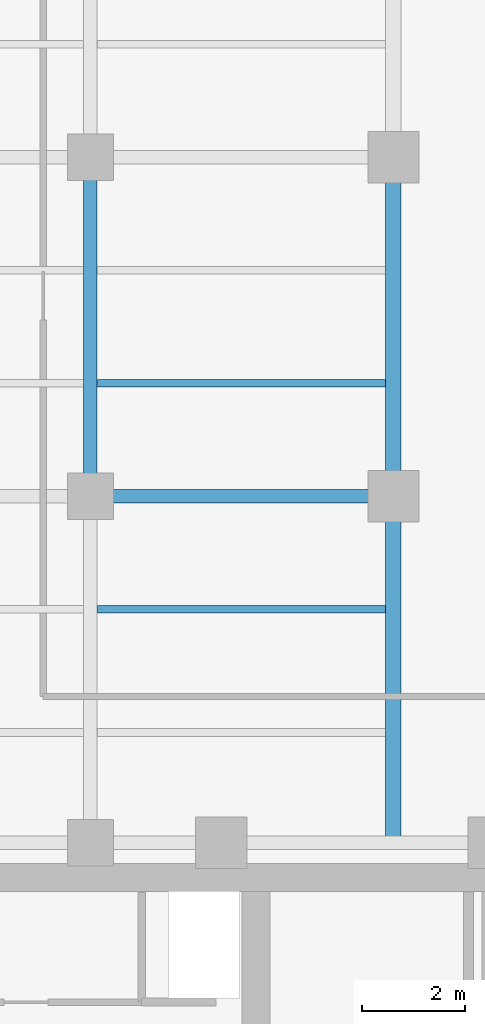
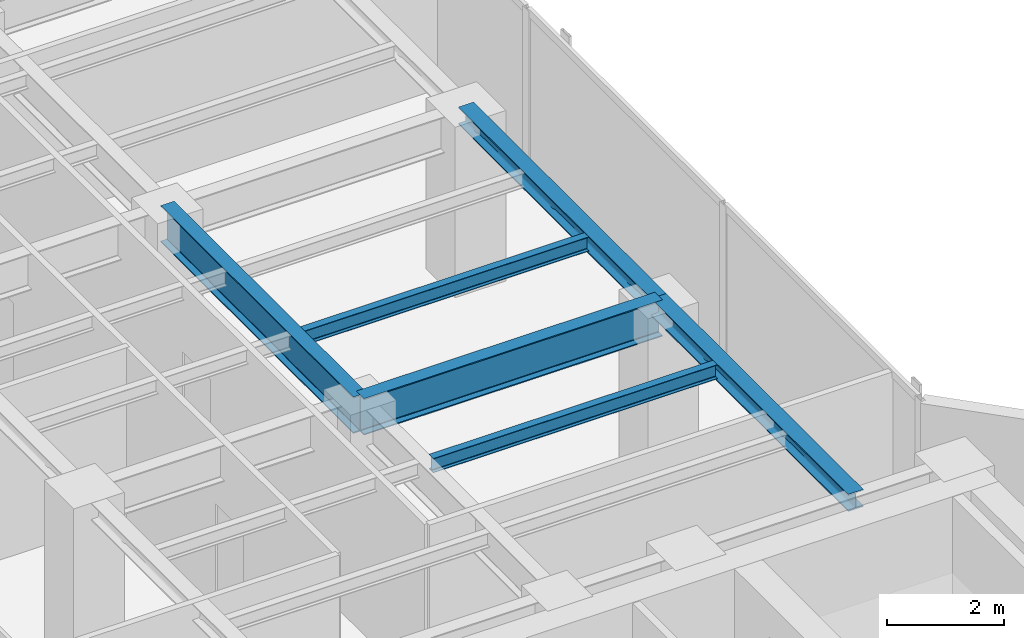
# One storey, part 9 of 22: 6 beams.
"""IFC4 building model written with IfcOpenShell, lengths in metres."""

import ifcopenshell
import ifcopenshell.guid

model = None  # the IFC model being written
_history = None  # IfcOwnerHistory: only IFC2X3 demands one
_inside = {}  # id of a spatial element -> (the spatial element, [elements in it])
_under = {}  # id of a project, library or spatial element -> (it, [spatial elements below it])
_declared = {}  # id of a project -> (the project, [libraries it declares])
_typed = {}  # id of a type object -> (the type object, [elements of that type])
_made_of = {}  # id of a material, layer set ... -> (it, [elements and type objects made of it])


def new_model(schema):
    """Start an empty IFC model of exactly this schema.

    Asked for "IFC4X3", IfcOpenShell would pick the latest addendum, in which some entities
    have other attributes; the version numbers below select the first issue.
    IFC2X3 requires an IfcOwnerHistory on every rooted entity: one is made here for all.
    """
    global model, _history
    if schema == "IFC4X3":
        model = ifcopenshell.file(schema_version=(4, 3, 0, 0))
    else:
        model = ifcopenshell.file(schema=schema)
    _inside.clear()
    _under.clear()
    _declared.clear()
    _typed.clear()
    _made_of.clear()
    _history = None
    if model.schema == "IFC2X3":
        org = make("IfcOrganization", Name="unknown")
        user = make(
            "IfcPersonAndOrganization",
            ThePerson=make("IfcPerson", FamilyName="unknown"),
            TheOrganization=org,
        )
        app = make(
            "IfcApplication",
            ApplicationDeveloper=org,
            Version="unknown",
            ApplicationFullName="unknown",
            ApplicationIdentifier="unknown",
        )
        _history = make(
            "IfcOwnerHistory",
            OwningUser=user,
            OwningApplication=app,
            ChangeAction="ADDED",
            CreationDate=0,
        )
    return model


def make(cls, **values):
    """One entity of the class cls with the attributes given. An attribute that is None is left unset."""
    return model.create_entity(
        cls, **{name: value for name, value in values.items() if value is not None}
    )


def rooted(cls, **values):
    """An entity with a GlobalId (a new one), such as an element, a storey or a relation."""
    return make(cls, GlobalId=ifcopenshell.guid.new(), OwnerHistory=_history, **values)


def si_unit(unit_type, name, prefix=None):
    """IfcSIUnit, for example si_unit("LENGTHUNIT", "METRE", prefix="MILLI")."""
    return make("IfcSIUnit", UnitType=unit_type, Prefix=prefix, Name=name)


def assignment(units):
    """IfcUnitAssignment: the units of a project."""
    return None if units is None else make("IfcUnitAssignment", Units=units)


def point(xyz):
    """IfcCartesianPoint."""
    return None if xyz is None else make("IfcCartesianPoint", Coordinates=xyz)


def direction(xyz):
    """IfcDirection."""
    return None if xyz is None else make("IfcDirection", DirectionRatios=xyz)


def frame(location, z_axis=None, x_axis=None):
    """IfcAxis2Placement3D, a coordinate frame: its origin and axes. An axis left out is left unset."""
    return make(
        "IfcAxis2Placement3D",
        Location=point(location),
        Axis=direction(z_axis),
        RefDirection=direction(x_axis),
    )


def frame_2d(location, x_axis=None):
    """IfcAxis2Placement2D, a coordinate frame in the plane: its origin and x axis."""
    return make(
        "IfcAxis2Placement2D", Location=point(location), RefDirection=direction(x_axis)
    )


def origin():
    """The frame at (0, 0, 0) with its axes left unset."""
    return frame((0.0, 0.0, 0.0))


def origin_2d():
    """The frame at (0, 0) in the plane with its x axis left unset."""
    return frame_2d((0.0, 0.0))


def place(relative_to, where):
    """IfcLocalPlacement: puts the frame where relative to a parent placement (None: the world)."""
    return make(
        "IfcLocalPlacement", PlacementRelTo=relative_to, RelativePlacement=where
    )


def context(
    kind, dimensions, precision=None, world=None, true_north=None, identifier=None
):
    """IfcGeometricRepresentationContext, for example the 3D "Model" context."""
    return make(
        "IfcGeometricRepresentationContext",
        ContextIdentifier=identifier,
        ContextType=kind,
        CoordinateSpaceDimension=dimensions,
        Precision=precision,
        WorldCoordinateSystem=world,
        TrueNorth=true_north,
    )


def subcontext(parent, identifier, kind, view, scale=None):
    """IfcGeometricRepresentationSubContext, for example "Body" below "Model"."""
    return make(
        "IfcGeometricRepresentationSubContext",
        ContextIdentifier=identifier,
        ContextType=kind,
        ParentContext=parent,
        TargetScale=scale,
        TargetView=view,
    )


def project(units=None, contexts=None):
    """IfcProject with its units and contexts."""
    return rooted(
        "IfcProject",
        Name="project",
        RepresentationContexts=contexts,
        UnitsInContext=assignment(units),
    )


def spatial(cls, under=None, at=None, **own):
    """A site, building, storey or space (cls), placed at a placement, below another one or the project."""
    s = rooted(cls, ObjectPlacement=at, **own)
    if under is not None:
        _under.setdefault(under.id(), (under, []))[1].append(s)
    return s


def profile(cls, at=None, kind="AREA", **sizes):
    """A parametric profile (cls). Its sizes go by their IFC names, for example OverallWidth=200.0."""
    return make(cls, ProfileType=kind, Position=at, **sizes)


def i_section(**sizes):
    """IfcIShapeProfileDef."""
    return profile("IfcIShapeProfileDef", **sizes)


def extrude(swept, where, along, depth):
    """IfcExtrudedAreaSolid: the profile swept, set in the frame where, extruded along a direction by depth."""
    return make(
        "IfcExtrudedAreaSolid",
        SweptArea=swept,
        Position=where,
        ExtrudedDirection=direction(along),
        Depth=depth,
    )


def shape(context_of_items, identifier, shape_type, items):
    """IfcShapeRepresentation: the items that make up one representation, for example the "Body"."""
    return make(
        "IfcShapeRepresentation",
        ContextOfItems=context_of_items,
        RepresentationIdentifier=identifier,
        RepresentationType=shape_type,
        Items=items,
    )


def material(Name=None, Category=None):
    """IfcMaterial."""
    return make("IfcMaterial", Name=Name, Category=Category)


def material_profile(
    of_material, cross_section, Name=None, Category=None, Priority=None
):
    """IfcMaterialProfile: a cross section and its material."""
    return make(
        "IfcMaterialProfile",
        Name=Name,
        Material=of_material,
        Profile=cross_section,
        Priority=Priority,
        Category=Category,
    )


def profile_set(profiles, Name=None, composite=None):
    """IfcMaterialProfileSet."""
    return make(
        "IfcMaterialProfileSet",
        Name=Name,
        MaterialProfiles=profiles,
        CompositeProfile=composite,
    )


def made_of(thing, what):
    """Note that an element or type object is made of a material, layer set ...; save() writes the relation."""
    if what is not None:
        _made_of.setdefault(what.id(), (what, []))[1].append(thing)
    return thing


def type_object(cls, material=None, **own):
    """A type object (cls), such as IfcWallType, which elements share."""
    return made_of(rooted(cls, **own), material)


def element(
    cls,
    number,
    at=None,
    inside=None,
    cuts=None,
    type_object=None,
    material=None,
    context=None,
    identifier="Body",
    shape_type=None,
    held_by="IfcProductDefinitionShape",
    body=None,
    shapes=None,
    **own,
):
    """One element of the class cls, such as IfcWall. Its Tag is "e" and its number.

    at: its placement. inside: the storey or other place that contains it. cuts: it is an
    opening in that element (IfcRelVoidsElement). A single representation is given by context,
    identifier, shape_type and body (its items); several are given by shapes. held_by: the class
    of the entity that holds the representations. save() writes the other relations.
    """
    e = rooted(cls, Tag="e%d" % number, ObjectPlacement=at, **own)
    if body is not None:
        shapes = [shape(context, identifier, shape_type, body)]
    if shapes is not None:
        e.Representation = make(held_by, Representations=shapes)
    if inside is not None:
        _inside.setdefault(inside.id(), (inside, []))[1].append(e)
    if cuts is not None:
        rooted(
            "IfcRelVoidsElement", RelatingBuildingElement=cuts, RelatedOpeningElement=e
        )
    if type_object is not None:
        _typed.setdefault(type_object.id(), (type_object, []))[1].append(e)
    return made_of(e, material)


def aggregate(whole, parts):
    """IfcRelAggregates: a whole, such as a stair, and the parts it consists of."""
    return rooted("IfcRelAggregates", RelatingObject=whole, RelatedObjects=parts)


def save(model, path):
    """Write the relations noted so far, then the file.

    IfcRelAggregates (storeys below a building ...), IfcRelContainedInSpatialStructure (elements
    in a storey), IfcRelDefinesByType, IfcRelAssociatesMaterial and IfcRelDeclares: one each for
    every whole, place, type object, material and project.
    """
    for whole, parts in _under.values():
        aggregate(whole, parts)
    for where, things in _inside.values():
        rooted(
            "IfcRelContainedInSpatialStructure",
            RelatedElements=things,
            RelatingStructure=where,
        )
    for kind, things in _typed.values():
        rooted("IfcRelDefinesByType", RelatedObjects=things, RelatingType=kind)
    for what, things in _made_of.values():
        rooted("IfcRelAssociatesMaterial", RelatedObjects=things, RelatingMaterial=what)
    for by, libraries in _declared.values():
        rooted("IfcRelDeclares", RelatingContext=by, RelatedDefinitions=libraries)
    model.write(path)


model = new_model("IFC4")

# Units and contexts
model_context = context("Model", 3, precision=1e-05, world=origin(), true_north=direction((0.0, 1.0)))
body_context = subcontext(model_context, "Body", "Model", "MODEL_VIEW")
ifc_project = project(units=[si_unit("LENGTHUNIT", "METRE"), si_unit("AREAUNIT", "SQUARE_METRE"), si_unit("VOLUMEUNIT", "CUBIC_METRE"), si_unit("PLANEANGLEUNIT", "RADIAN"), si_unit("MASSUNIT", "GRAM", prefix="KILO")], contexts=[model_context])

# Site, building, storey
site_placement = place(None, origin())
site = spatial("IfcSite", under=ifc_project, at=site_placement, CompositionType="ELEMENT")
building_placement = place(site_placement, origin())
building = spatial("IfcBuilding", under=site, at=building_placement, Name="Kolvaren Waterfront Exchange", CompositionType="ELEMENT")
storey_placement = place(building_placement, frame((0.0, 0.0, 246.300048828125)))
storey = spatial("IfcBuildingStorey", under=building, at=storey_placement, Name="L63", CompositionType="ELEMENT", Elevation=246.300048828125)

# Beams
ifc_material = material(Name="Steel S355", Category="steel")
ifc_material_profile_1 = material_profile(ifc_material, i_section(OverallWidth=0.300048828125, OverallDepth=0.360107421875, WebThickness=0.012451171875, FlangeThickness=0.0224609375, FilletRadius=0.027099609375, at=origin_2d()), Name="HEB360")
ifc_profile_set_1 = profile_set([ifc_material_profile_1], Name="Steel S355")
beam_type_1 = type_object("IfcBeamType", Name="STR-BM-HEB360", PredefinedType="SPANDREL", material=ifc_profile_set_1)
beam_1_placement = place(storey_placement, frame((18.800048828125, 24.449951171875, 3.3798828125), z_axis=(0.0, 1.0, 0.0), x_axis=(-1.0, 0.0, 0.0)))
element("IfcBeam", 1, at=beam_1_placement, inside=storey, type_object=beam_type_1, Name="L63 north-arm edge beam 1", PredefinedType="SPANDREL", context=body_context, shape_type="SweptSolid", body=[
    extrude(i_section(OverallWidth=0.300048828125, OverallDepth=0.360107421875, WebThickness=0.012451171875, FlangeThickness=0.0224609375, FilletRadius=0.027099609375, at=origin_2d()), origin(), (0.0, 0.0, 1.0), 6.75),
])
beam_2_placement = place(storey_placement, frame((18.800048828125, 31.199951171875, 3.3798828125), z_axis=(0.0, 1.0, 0.0), x_axis=(-1.0, 0.0, 0.0)))
element("IfcBeam", 2, at=beam_2_placement, inside=storey, type_object=beam_type_1, Name="L63 north-arm edge beam 2", PredefinedType="SPANDREL", context=body_context, shape_type="SweptSolid", body=[
    extrude(i_section(OverallWidth=0.300048828125, OverallDepth=0.360107421875, WebThickness=0.012451171875, FlangeThickness=0.0224609375, FilletRadius=0.027099609375, at=origin_2d()), origin(), (0.0, 0.0, 1.0), 6.60009765625),
])
ifc_material_profile_2 = material_profile(ifc_material, i_section(OverallWidth=0.14990234375, OverallDepth=0.300048828125, WebThickness=0.007080078125, FlangeThickness=0.0107421875, FilletRadius=0.014892578125, at=origin_2d()), Name="IPE300")
ifc_profile_set_2 = profile_set([ifc_material_profile_2], Name="Steel S355")
beam_type_2 = type_object("IfcBeamType", Name="STR-BM-IPE300", PredefinedType="JOIST", material=ifc_profile_set_2)
for number, where, z_axis, x_axis, name in (
    (3, (13.035400390625, 29.0, 3.409912109375), (1.0, 0.0, 0.0), (0.0, 1.0, 0.0), "L63 north-arm composite joist 2B"),
    (4, (13.035400390625, 33.39990234375, 3.409912109375), (1.0, 0.0, 0.0), (0.0, 1.0, 0.0), "L63 north-arm composite joist 3B"),
):
    element("IfcBeam", number, at=place(storey_placement, frame(where, z_axis=z_axis, x_axis=x_axis)), inside=storey, type_object=beam_type_2, Name=name, PredefinedType="JOIST", context=body_context, shape_type="SweptSolid", body=[
        extrude(i_section(OverallWidth=0.14990234375, OverallDepth=0.300048828125, WebThickness=0.007080078125, FlangeThickness=0.0107421875, FilletRadius=0.014892578125, at=origin_2d()), origin(), (0.0, 0.0, 1.0), 5.612548828125),
    ])
ifc_material_profile_3 = material_profile(ifc_material, i_section(OverallWidth=0.26708984375, OverallDepth=0.761962890625, WebThickness=0.014404296875, FlangeThickness=0.021484375, FilletRadius=0.01708984375, at=origin_2d()), Name="IPE750x173")
ifc_profile_set_3 = profile_set([ifc_material_profile_3], Name="Steel S355")
beam_type_3 = type_object("IfcBeamType", Name="STR-BM-IPE750", PredefinedType="BEAM", material=ifc_profile_set_3)
beam_3_placement = place(storey_placement, frame((12.89990234375, 31.199951171875, 3.178955078125), z_axis=(1.0, 0.0, 0.0), x_axis=(0.0, 1.0, 0.0)))
element("IfcBeam", 5, at=beam_3_placement, inside=storey, type_object=beam_type_3, Name="L63 north-arm girder 2B", PredefinedType="BEAM", context=body_context, shape_type="SweptSolid", body=[
    extrude(i_section(OverallWidth=0.26708984375, OverallDepth=0.761962890625, WebThickness=0.014404296875, FlangeThickness=0.021484375, FilletRadius=0.01708984375, at=origin_2d()), origin(), (0.0, 0.0, 1.0), 5.900146484375),
])
beam_4_placement = place(storey_placement, frame((12.89990234375, 31.199951171875, 3.178955078125), z_axis=(0.0, 1.0, 0.0), x_axis=(-1.0, 0.0, 0.0)))
element("IfcBeam", 6, at=beam_4_placement, inside=storey, type_object=beam_type_3, Name="L63 north-arm edge beam 2", PredefinedType="BEAM", context=body_context, shape_type="SweptSolid", body=[
    extrude(i_section(OverallWidth=0.26708984375, OverallDepth=0.761962890625, WebThickness=0.014404296875, FlangeThickness=0.021484375, FilletRadius=0.01708984375, at=origin_2d()), origin(), (0.0, 0.0, 1.0), 6.60009765625),
])

save(model, "model.ifc")
